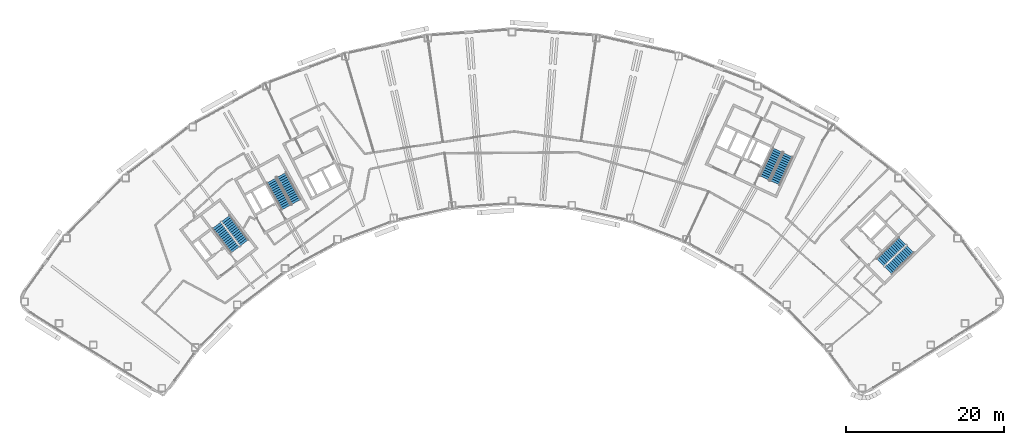
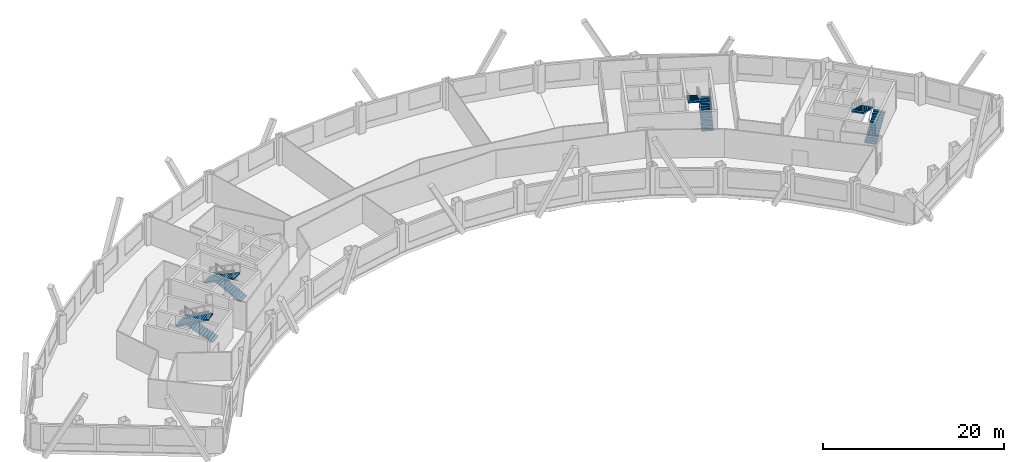
# One storey, part 10 of 12: 8 stair flights, 4 elements without a shape of their own.
"""IFC4 building model written with IfcOpenShell, lengths in metres."""

from ifc_helpers import new_model, si_unit, direction, frame, origin, place, context, subcontext, project, spatial, polyline, outline, extrude, material, type_object, element, aggregate, save


model = new_model("IFC4")

# Units and contexts
model_context = context("Model", 3, precision=1e-05, world=origin(), true_north=direction((0.0, 1.0)))
body_context = subcontext(model_context, "Body", "Model", "MODEL_VIEW")
ifc_project = project(units=[si_unit("LENGTHUNIT", "METRE"), si_unit("AREAUNIT", "SQUARE_METRE"), si_unit("VOLUMEUNIT", "CUBIC_METRE"), si_unit("PLANEANGLEUNIT", "RADIAN"), si_unit("MASSUNIT", "GRAM", prefix="KILO")], contexts=[model_context])

# Site, building, storey
site_placement = place(None, origin())
site = spatial("IfcSite", under=ifc_project, at=site_placement, CompositionType="ELEMENT")
building_placement = place(site_placement, origin())
building = spatial("IfcBuilding", under=site, at=building_placement, Name="Tuul Gate Civic Tower", CompositionType="ELEMENT")
storey_placement = place(building_placement, frame((0.0, 0.0, 172.10009765625)))
storey = spatial("IfcBuildingStorey", under=building, at=storey_placement, Name="Level 39", CompositionType="ELEMENT", Elevation=172.10009765625)

# Stair, stair flights
ifc_material_1 = material(Name="Concrete C40/50", Category="concrete")
stair_type = type_object("IfcStairType", Name="Exit stair", PredefinedType="HALF_TURN_STAIR", material=ifc_material_1)
stair_1_placement = place(storey_placement, origin())
stair_1 = element("IfcStair", 1, at=stair_1_placement, inside=storey, type_object=stair_type, Name="Level 39 ST-1", PredefinedType="HALF_TURN_STAIR")
ifc_material_2 = material(Name="Concrete C40/50", Category="concrete")
stair_flight_type = type_object("IfcStairFlightType", Name="Exit stair flight", PredefinedType="STRAIGHT", material=ifc_material_2)
stair_flight_1_placement = place(storey_placement, frame((-32.875244140625, -13.066650390625, 0.0), z_axis=(0.0, 0.0, 1.0), x_axis=(-0.605764474941, 0.795644016442, 0.0)))
stair_flight_1 = element("IfcStairFlight", 2, at=stair_flight_1_placement, type_object=stair_flight_type, Name="ST-1 flight 1", NumberOfRisers=14, NumberOfTreads=13, PredefinedType="STRAIGHT", RiserHeight=0.15, TreadLength=0.3, context=body_context, shape_type="SweptSolid", body=[
    extrude(outline(polyline([(0.0, 0.0), (0.0, 0.14990234375), (0.300048828125, 0.14990234375), (0.300048828125, 0.300048828125), (0.60009765625, 0.300048828125), (0.60009765625, 0.449951171875), (0.89990234375, 0.449951171875), (0.89990234375, 0.60009765625), (1.199951171875, 0.60009765625), (1.199951171875, 0.75), (1.5, 0.75), (1.5, 0.89990234375), (1.800048828125, 0.89990234375), (1.800048828125, 1.050048828125), (2.10009765625, 1.050048828125), (2.10009765625, 1.199951171875), (2.39990234375, 1.199951171875), (2.39990234375, 1.35009765625), (2.699951171875, 1.35009765625), (2.699951171875, 1.5), (3.0, 1.5), (3.0, 1.64990234375), (3.300048828125, 1.64990234375), (3.300048828125, 1.800048828125), (3.60009765625, 1.800048828125), (3.60009765625, 1.949951171875), (3.89990234375, 1.949951171875), (3.89990234375, 2.10009765625), (3.89990234375, 1.782470703125), (0.335205078125, 0.0), (0.0, 0.0)])), frame((0.0, 0.675048828125, 0.0), z_axis=(0.0, -1.0, 0.0), x_axis=(1.0, 0.0, 0.0)), (0.0, 0.0, 1.0), 1.35009765625),
])
stair_flight_2_placement = place(storey_placement, frame((-36.391357421875, -10.842041015625, 2.099853515625), z_axis=(0.0, 0.0, 1.0), x_axis=(0.605764474941, -0.795644016442, 0.0)))
stair_flight_2 = element("IfcStairFlight", 3, at=stair_flight_2_placement, type_object=stair_flight_type, Name="ST-1 flight 2", NumberOfRisers=14, NumberOfTreads=13, PredefinedType="STRAIGHT", RiserHeight=0.15, TreadLength=0.3, context=body_context, shape_type="SweptSolid", body=[
    extrude(outline(polyline([(0.0, 0.0), (0.0, 0.14990234375), (0.300048828125, 0.14990234375), (0.300048828125, 0.300048828125), (0.60009765625, 0.300048828125), (0.60009765625, 0.449951171875), (0.89990234375, 0.449951171875), (0.89990234375, 0.60009765625), (1.199951171875, 0.60009765625), (1.199951171875, 0.75), (1.5, 0.75), (1.5, 0.89990234375), (1.800048828125, 0.89990234375), (1.800048828125, 1.050048828125), (2.10009765625, 1.050048828125), (2.10009765625, 1.199951171875), (2.39990234375, 1.199951171875), (2.39990234375, 1.35009765625), (2.699951171875, 1.35009765625), (2.699951171875, 1.5), (3.0, 1.5), (3.0, 1.64990234375), (3.300048828125, 1.64990234375), (3.300048828125, 1.800048828125), (3.60009765625, 1.800048828125), (3.60009765625, 1.949951171875), (3.89990234375, 1.949951171875), (3.89990234375, 2.10009765625), (3.89990234375, 1.782470703125), (0.335205078125, 0.0), (0.0, 0.0)])), frame((0.0, 0.675048828125, 0.0), z_axis=(0.0, -1.0, 0.0), x_axis=(1.0, 0.0, 0.0)), (0.0, 0.0, 1.0), 1.35009765625),
])
aggregate(stair_1, [stair_flight_1, stair_flight_2])

stair_2_placement = place(storey_placement, origin())
stair_2 = element("IfcStair", 4, at=stair_2_placement, inside=storey, type_object=stair_type, Name="Level 39 ST-2", PredefinedType="HALF_TURN_STAIR")
stair_flight_3_placement = place(storey_placement, frame((-26.29150390625, -7.87646484375, 0.0), z_axis=(0.0, 0.0, 1.0), x_axis=(-0.484761763766, 0.874646232708, 0.0)))
stair_flight_3 = element("IfcStairFlight", 5, at=stair_flight_3_placement, type_object=stair_flight_type, Name="ST-2 flight 1", NumberOfRisers=14, NumberOfTreads=13, PredefinedType="STRAIGHT", RiserHeight=0.15, TreadLength=0.3, context=body_context, shape_type="SweptSolid", body=[
    extrude(outline(polyline([(0.0, 0.0), (0.0, 0.14990234375), (0.300048828125, 0.14990234375), (0.300048828125, 0.300048828125), (0.60009765625, 0.300048828125), (0.60009765625, 0.449951171875), (0.89990234375, 0.449951171875), (0.89990234375, 0.60009765625), (1.199951171875, 0.60009765625), (1.199951171875, 0.75), (1.5, 0.75), (1.5, 0.89990234375), (1.800048828125, 0.89990234375), (1.800048828125, 1.050048828125), (2.10009765625, 1.050048828125), (2.10009765625, 1.199951171875), (2.39990234375, 1.199951171875), (2.39990234375, 1.35009765625), (2.699951171875, 1.35009765625), (2.699951171875, 1.5), (3.0, 1.5), (3.0, 1.64990234375), (3.300048828125, 1.64990234375), (3.300048828125, 1.800048828125), (3.60009765625, 1.800048828125), (3.60009765625, 1.949951171875), (3.89990234375, 1.949951171875), (3.89990234375, 2.10009765625), (3.89990234375, 1.782470703125), (0.335205078125, 0.0), (0.0, 0.0)])), frame((0.0, 0.675048828125, 0.0), z_axis=(0.0, -1.0, 0.0), x_axis=(1.0, 0.0, 0.0)), (0.0, 0.0, 1.0), 1.35009765625),
])
stair_flight_4_placement = place(storey_placement, frame((-29.450439453125, -5.168212890625, 2.099853515625), z_axis=(0.0, 0.0, 1.0), x_axis=(0.484761763766, -0.874646232708, 0.0)))
stair_flight_4 = element("IfcStairFlight", 6, at=stair_flight_4_placement, type_object=stair_flight_type, Name="ST-2 flight 2", NumberOfRisers=14, NumberOfTreads=13, PredefinedType="STRAIGHT", RiserHeight=0.15, TreadLength=0.3, context=body_context, shape_type="SweptSolid", body=[
    extrude(outline(polyline([(0.0, 0.0), (0.0, 0.14990234375), (0.300048828125, 0.14990234375), (0.300048828125, 0.300048828125), (0.60009765625, 0.300048828125), (0.60009765625, 0.449951171875), (0.89990234375, 0.449951171875), (0.89990234375, 0.60009765625), (1.199951171875, 0.60009765625), (1.199951171875, 0.75), (1.5, 0.75), (1.5, 0.89990234375), (1.800048828125, 0.89990234375), (1.800048828125, 1.050048828125), (2.10009765625, 1.050048828125), (2.10009765625, 1.199951171875), (2.39990234375, 1.199951171875), (2.39990234375, 1.35009765625), (2.699951171875, 1.35009765625), (2.699951171875, 1.5), (3.0, 1.5), (3.0, 1.64990234375), (3.300048828125, 1.64990234375), (3.300048828125, 1.800048828125), (3.60009765625, 1.800048828125), (3.60009765625, 1.949951171875), (3.89990234375, 1.949951171875), (3.89990234375, 2.10009765625), (3.89990234375, 1.782470703125), (0.335205078125, 0.0), (0.0, 0.0)])), frame((0.0, 0.675048828125, 0.0), z_axis=(0.0, -1.0, 0.0), x_axis=(1.0, 0.0, 0.0)), (0.0, 0.0, 1.0), 1.35009765625),
])
aggregate(stair_2, [stair_flight_3, stair_flight_4])

stair_3_placement = place(storey_placement, origin())
stair_3 = element("IfcStair", 7, at=stair_3_placement, inside=storey, type_object=stair_type, Name="Level 39 ST-3", PredefinedType="HALF_TURN_STAIR")
stair_flight_5_placement = place(storey_placement, frame((48.61376953125, -16.581787109375, 0.0), z_axis=(0.0, 0.0, 1.0), x_axis=(0.714127290059, 0.700015866672, 0.0)))
stair_flight_5 = element("IfcStairFlight", 8, at=stair_flight_5_placement, type_object=stair_flight_type, Name="ST-3 flight 1", NumberOfRisers=14, NumberOfTreads=13, PredefinedType="STRAIGHT", RiserHeight=0.15, TreadLength=0.3, context=body_context, shape_type="SweptSolid", body=[
    extrude(outline(polyline([(0.0, 0.0), (0.0, 0.14990234375), (0.300048828125, 0.14990234375), (0.300048828125, 0.300048828125), (0.60009765625, 0.300048828125), (0.60009765625, 0.449951171875), (0.89990234375, 0.449951171875), (0.89990234375, 0.60009765625), (1.199951171875, 0.60009765625), (1.199951171875, 0.75), (1.5, 0.75), (1.5, 0.89990234375), (1.800048828125, 0.89990234375), (1.800048828125, 1.050048828125), (2.10009765625, 1.050048828125), (2.10009765625, 1.199951171875), (2.39990234375, 1.199951171875), (2.39990234375, 1.35009765625), (2.699951171875, 1.35009765625), (2.699951171875, 1.5), (3.0, 1.5), (3.0, 1.64990234375), (3.300048828125, 1.64990234375), (3.300048828125, 1.800048828125), (3.60009765625, 1.800048828125), (3.60009765625, 1.949951171875), (3.89990234375, 1.949951171875), (3.89990234375, 2.10009765625), (3.89990234375, 1.782470703125), (0.335205078125, 0.0), (0.0, 0.0)])), frame((0.0, 0.675048828125, 0.0), z_axis=(0.0, -1.0, 0.0), x_axis=(1.0, 0.0, 0.0)), (0.0, 0.0, 1.0), 1.35009765625),
])
stair_flight_6_placement = place(storey_placement, frame((50.3837890625, -12.816162109375, 2.099853515625), z_axis=(0.0, 0.0, 1.0), x_axis=(-0.714127290059, -0.700015866672, 0.0)))
stair_flight_6 = element("IfcStairFlight", 9, at=stair_flight_6_placement, type_object=stair_flight_type, Name="ST-3 flight 2", NumberOfRisers=14, NumberOfTreads=13, PredefinedType="STRAIGHT", RiserHeight=0.15, TreadLength=0.3, context=body_context, shape_type="SweptSolid", body=[
    extrude(outline(polyline([(0.0, 0.0), (0.0, 0.14990234375), (0.300048828125, 0.14990234375), (0.300048828125, 0.300048828125), (0.60009765625, 0.300048828125), (0.60009765625, 0.449951171875), (0.89990234375, 0.449951171875), (0.89990234375, 0.60009765625), (1.199951171875, 0.60009765625), (1.199951171875, 0.75), (1.5, 0.75), (1.5, 0.89990234375), (1.800048828125, 0.89990234375), (1.800048828125, 1.050048828125), (2.10009765625, 1.050048828125), (2.10009765625, 1.199951171875), (2.39990234375, 1.199951171875), (2.39990234375, 1.35009765625), (2.699951171875, 1.35009765625), (2.699951171875, 1.5), (3.0, 1.5), (3.0, 1.64990234375), (3.300048828125, 1.64990234375), (3.300048828125, 1.800048828125), (3.60009765625, 1.800048828125), (3.60009765625, 1.949951171875), (3.89990234375, 1.949951171875), (3.89990234375, 2.10009765625), (3.89990234375, 1.782470703125), (0.335205078125, 0.0), (0.0, 0.0)])), frame((0.0, 0.675048828125, 0.0), z_axis=(0.0, -1.0, 0.0), x_axis=(1.0, 0.0, 0.0)), (0.0, 0.0, 1.0), 1.35009765625),
])
aggregate(stair_3, [stair_flight_5, stair_flight_6])

stair_4_placement = place(storey_placement, origin())
stair_4 = element("IfcStair", 10, at=stair_4_placement, inside=storey, type_object=stair_type, Name="Level 39 ST-4", PredefinedType="HALF_TURN_STAIR")
stair_flight_7_placement = place(storey_placement, frame((34.278564453125, -5.478515625, 0.0), z_axis=(0.0, 0.0, 1.0), x_axis=(0.422576295988, 0.906327354806, 0.0)))
stair_flight_7 = element("IfcStairFlight", 11, at=stair_flight_7_placement, type_object=stair_flight_type, Name="ST-4 flight 1", NumberOfRisers=14, NumberOfTreads=13, PredefinedType="STRAIGHT", RiserHeight=0.15, TreadLength=0.3, context=body_context, shape_type="SweptSolid", body=[
    extrude(outline(polyline([(0.0, 0.0), (0.0, 0.14990234375), (0.300048828125, 0.14990234375), (0.300048828125, 0.300048828125), (0.60009765625, 0.300048828125), (0.60009765625, 0.449951171875), (0.89990234375, 0.449951171875), (0.89990234375, 0.60009765625), (1.199951171875, 0.60009765625), (1.199951171875, 0.75), (1.5, 0.75), (1.5, 0.89990234375), (1.800048828125, 0.89990234375), (1.800048828125, 1.050048828125), (2.10009765625, 1.050048828125), (2.10009765625, 1.199951171875), (2.39990234375, 1.199951171875), (2.39990234375, 1.35009765625), (2.699951171875, 1.35009765625), (2.699951171875, 1.5), (3.0, 1.5), (3.0, 1.64990234375), (3.300048828125, 1.64990234375), (3.300048828125, 1.800048828125), (3.60009765625, 1.800048828125), (3.60009765625, 1.949951171875), (3.89990234375, 1.949951171875), (3.89990234375, 2.10009765625), (3.89990234375, 1.782470703125), (0.335205078125, 0.0), (0.0, 0.0)])), frame((0.0, 0.675048828125, 0.0), z_axis=(0.0, -1.0, 0.0), x_axis=(1.0, 0.0, 0.0)), (0.0, 0.0, 1.0), 1.35009765625),
])
stair_flight_8_placement = place(storey_placement, frame((34.612548828125, -1.3310546875, 2.099853515625), z_axis=(0.0, 0.0, 1.0), x_axis=(-0.422576295988, -0.906327354806, 0.0)))
stair_flight_8 = element("IfcStairFlight", 12, at=stair_flight_8_placement, type_object=stair_flight_type, Name="ST-4 flight 2", NumberOfRisers=14, NumberOfTreads=13, PredefinedType="STRAIGHT", RiserHeight=0.15, TreadLength=0.3, context=body_context, shape_type="SweptSolid", body=[
    extrude(outline(polyline([(0.0, 0.0), (0.0, 0.14990234375), (0.300048828125, 0.14990234375), (0.300048828125, 0.300048828125), (0.60009765625, 0.300048828125), (0.60009765625, 0.449951171875), (0.89990234375, 0.449951171875), (0.89990234375, 0.60009765625), (1.199951171875, 0.60009765625), (1.199951171875, 0.75), (1.5, 0.75), (1.5, 0.89990234375), (1.800048828125, 0.89990234375), (1.800048828125, 1.050048828125), (2.10009765625, 1.050048828125), (2.10009765625, 1.199951171875), (2.39990234375, 1.199951171875), (2.39990234375, 1.35009765625), (2.699951171875, 1.35009765625), (2.699951171875, 1.5), (3.0, 1.5), (3.0, 1.64990234375), (3.300048828125, 1.64990234375), (3.300048828125, 1.800048828125), (3.60009765625, 1.800048828125), (3.60009765625, 1.949951171875), (3.89990234375, 1.949951171875), (3.89990234375, 2.10009765625), (3.89990234375, 1.782470703125), (0.335205078125, 0.0), (0.0, 0.0)])), frame((0.0, 0.675048828125, 0.0), z_axis=(0.0, -1.0, 0.0), x_axis=(1.0, 0.0, 0.0)), (0.0, 0.0, 1.0), 1.35009765625),
])
aggregate(stair_4, [stair_flight_7, stair_flight_8])

save(model, "model.ifc")
